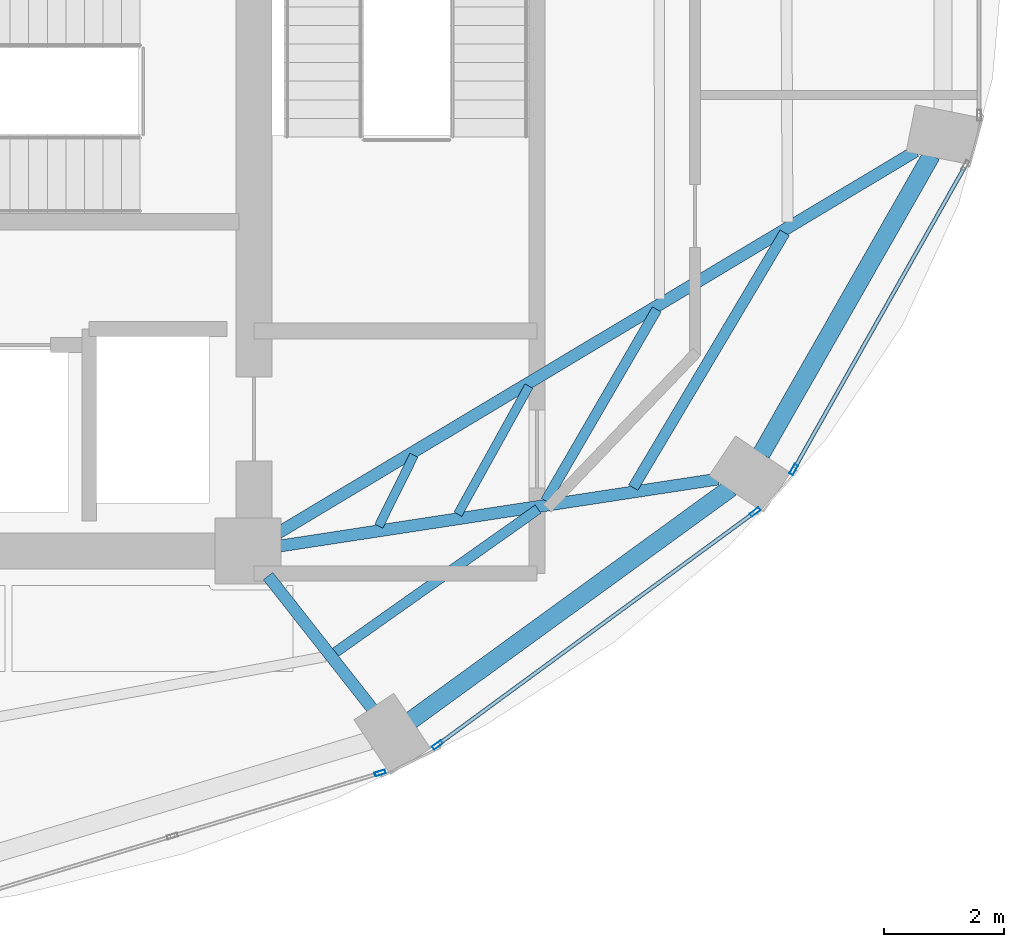
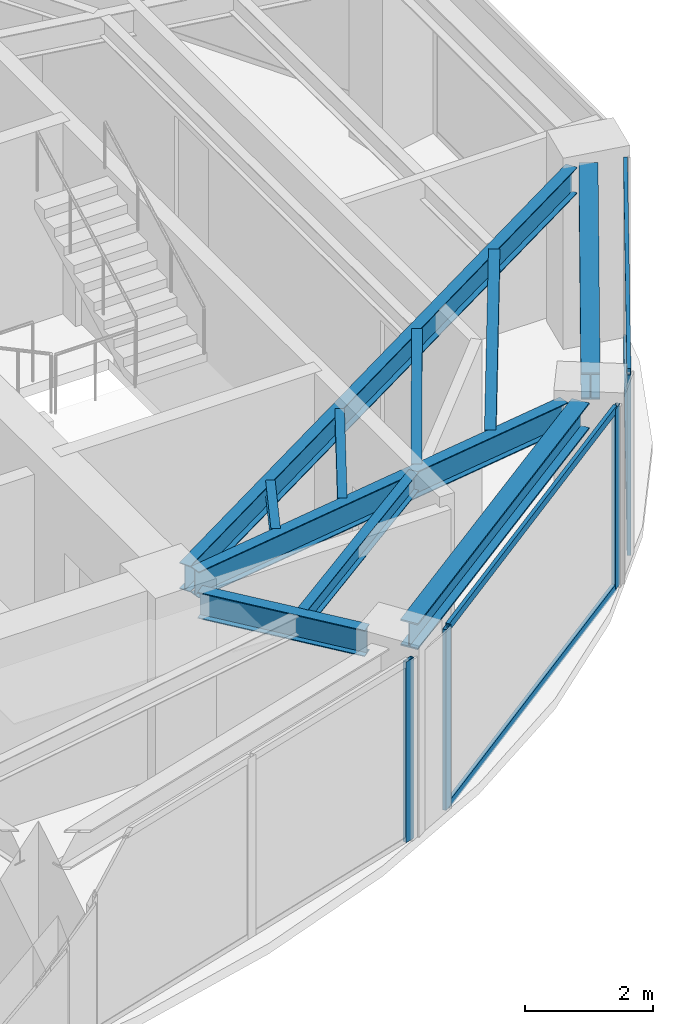
# One storey, part 13 of 23: 10 beams, 8 members, 3 elements without a shape of their own.
"""IFC4 building model written with IfcOpenShell, lengths in metres."""

from ifc_helpers import new_model, si_unit, direction, frame, origin, origin_2d, place, context, subcontext, project, spatial, hollow_rectangle, i_section, extrude, material, layer, layer_set, material_profile, profile_set, type_object, element, aggregate, save


model = new_model("IFC4")

# Units and contexts
model_context = context("Model", 3, precision=1e-05, world=origin(), true_north=direction((0.0, 1.0)))
body_context = subcontext(model_context, "Body", "Model", "MODEL_VIEW")
ifc_project = project(units=[si_unit("LENGTHUNIT", "METRE"), si_unit("AREAUNIT", "SQUARE_METRE"), si_unit("VOLUMEUNIT", "CUBIC_METRE"), si_unit("PLANEANGLEUNIT", "RADIAN"), si_unit("MASSUNIT", "GRAM", prefix="KILO")], contexts=[model_context])

# Site, building, storey
site_placement = place(None, origin())
site = spatial("IfcSite", under=ifc_project, at=site_placement, CompositionType="ELEMENT")
building_placement = place(site_placement, origin())
building = spatial("IfcBuilding", under=site, at=building_placement, Name="Lazwardi Medical Tower", CompositionType="ELEMENT")
storey_placement = place(building_placement, frame((0.0, 0.0, 213.072021484375)))
storey = spatial("IfcBuildingStorey", under=building, at=storey_placement, Name="L55", CompositionType="ELEMENT", Elevation=213.072021484375)

# Beams
ifc_material_1 = material(Name="Steel S355", Category="steel")
ifc_material_profile_1 = material_profile(ifc_material_1, i_section(OverallWidth=0.300048828125, OverallDepth=0.5, WebThickness=0.014404296875, FlangeThickness=0.028076171875, at=origin_2d()), Name="HEB 500")
ifc_profile_set_1 = profile_set([ifc_material_profile_1], Name="Steel S355")
beam_type_1 = type_object("IfcBeamType", Name="BM-RB-Z4", PredefinedType="BEAM", material=ifc_profile_set_1)
beam_1_placement = place(storey_placement, frame((48.31591796875, 17.5751953125, 3.197998046875), z_axis=(0.808889916254, 0.587960120571, 0.0), x_axis=(-0.587960120571, 0.808889916254, 0.0)))
element("IfcBeam", 1, at=beam_1_placement, inside=storey, type_object=beam_type_1, Name="Ring beam RB-05 B02 L55", PredefinedType="BEAM", context=body_context, shape_type="SweptSolid", body=[
    extrude(i_section(OverallWidth=0.300048828125, OverallDepth=0.5, WebThickness=0.014404296875, FlangeThickness=0.028076171875, at=origin_2d()), origin(), (0.0, 0.0, 1.0), 6.587158203125),
])
beam_2_placement = place(storey_placement, frame((54.15283203125, 22.016357421875, 3.197998046875), z_axis=(0.495125273299, 0.868821594886, 0.0), x_axis=(-0.868821594886, 0.495125273299, 0.0)))
element("IfcBeam", 2, at=beam_2_placement, inside=storey, type_object=beam_type_1, Name="Ring beam RB-05 B03 L55", PredefinedType="BEAM", context=body_context, shape_type="SweptSolid", body=[
    extrude(i_section(OverallWidth=0.300048828125, OverallDepth=0.5, WebThickness=0.014404296875, FlangeThickness=0.028076171875, at=origin_2d()), origin(), (0.0, 0.0, 1.0), 5.734130859375),
])
ifc_material_profile_2 = material_profile(ifc_material_1, i_section(OverallWidth=0.199951171875, OverallDepth=0.5, WebThickness=0.01025390625, FlangeThickness=0.01611328125, at=origin_2d()), Name="IPE 500")
ifc_profile_set_2 = profile_set([ifc_material_profile_2], Name="Steel S355")
beam_type_2 = type_object("IfcBeamType", Name="BM-RG-W3", PredefinedType="BEAM", material=ifc_profile_set_2)
beam_3_placement = place(storey_placement, frame((47.669677734375, 17.7666015625, 3.197998046875), z_axis=(-0.617890508382, 0.786264153864, 0.0), x_axis=(-0.786264153864, -0.617890508382, 0.0)))
element("IfcBeam", 3, at=beam_3_placement, inside=storey, type_object=beam_type_2, Name="Radial girder RG-04 R02 L55", PredefinedType="BEAM", context=body_context, shape_type="SweptSolid", body=[
    extrude(i_section(OverallWidth=0.199951171875, OverallDepth=0.5, WebThickness=0.01025390625, FlangeThickness=0.01611328125, at=origin_2d()), origin(), (0.0, 0.0, 1.0), 2.814453125),
])
beam_4_placement = place(storey_placement, frame((53.430908203125, 21.5966796875, 3.197998046875), z_axis=(-0.988522137285, -0.151076087115, 0.0), x_axis=(0.151076087115, -0.988522137285, 0.0)))
element("IfcBeam", 4, at=beam_4_placement, inside=storey, type_object=beam_type_2, Name="Radial girder RG-04 R03 L55", PredefinedType="BEAM", context=body_context, shape_type="SweptSolid", body=[
    extrude(i_section(OverallWidth=0.199951171875, OverallDepth=0.5, WebThickness=0.01025390625, FlangeThickness=0.01611328125, at=origin_2d()), origin(), (0.0, 0.0, 1.0), 7.38671875),
])
beam_5_placement = place(storey_placement, frame((56.72607421875, 27.062255859375, 3.197998046875), z_axis=(-0.857944804603, -0.513741873176, 0.0), x_axis=(0.513741873176, -0.857944804603, 0.0)))
element("IfcBeam", 5, at=beam_5_placement, inside=storey, type_object=beam_type_2, Name="Radial girder RG-04 R04 L55", PredefinedType="BEAM", context=body_context, shape_type="SweptSolid", body=[
    extrude(i_section(OverallWidth=0.199951171875, OverallDepth=0.5, WebThickness=0.01025390625, FlangeThickness=0.01611328125, at=origin_2d()), origin(), (0.0, 0.0, 1.0), 12.43310546875),
])
ifc_material_profile_3 = material_profile(ifc_material_1, i_section(OverallWidth=0.179931640625, OverallDepth=0.39990234375, WebThickness=0.008544921875, FlangeThickness=0.013427734375, at=origin_2d()), Name="IPE 400")
ifc_profile_set_3 = profile_set([ifc_material_profile_3], Name="Steel S355")
beam_type_3 = type_object("IfcBeamType", Name="BM-SJ-01", PredefinedType="JOIST", material=ifc_profile_set_3)
beam_6_placement = place(storey_placement, frame((52.01904296875, 21.455078125, 3.248046875), z_axis=(0.510967866251, 0.859599813668, 0.0), x_axis=(-0.859599813668, 0.510967866251, 0.0)))
element("IfcBeam", 6, at=beam_6_placement, inside=storey, type_object=beam_type_3, Name="Secondary joist SJ-01 R1 B03 L55", PredefinedType="JOIST", context=body_context, shape_type="SweptSolid", body=[
    extrude(i_section(OverallWidth=0.179931640625, OverallDepth=0.39990234375, WebThickness=0.008544921875, FlangeThickness=0.013427734375, at=origin_2d()), origin(), (0.0, 0.0, 1.0), 4.94189453125),
])
ifc_material_profile_4 = material_profile(ifc_material_1, i_section(OverallWidth=0.169921875, OverallDepth=0.360107421875, WebThickness=0.008056640625, FlangeThickness=0.0126953125, at=origin_2d()), Name="IPE 360")
ifc_profile_set_4 = profile_set([ifc_material_profile_4], Name="Steel S355")
beam_type_4 = type_object("IfcBeamType", Name="BM-SJ-02", PredefinedType="JOIST", material=ifc_profile_set_4)
beam_7_placement = place(storey_placement, frame((47.051513671875, 18.70654296875, 3.26806640625), z_axis=(0.816711190406, 0.577046645832, 0.0), x_axis=(-0.577046645832, 0.816711190406, 0.0)))
element("IfcBeam", 7, at=beam_7_placement, inside=storey, type_object=beam_type_4, Name="Secondary joist SJ-02 R2 B02 L55", PredefinedType="JOIST", context=body_context, shape_type="SweptSolid", body=[
    extrude(i_section(OverallWidth=0.169921875, OverallDepth=0.360107421875, WebThickness=0.008056640625, FlangeThickness=0.0126953125, at=origin_2d()), origin(), (0.0, 0.0, 1.0), 4.139892578125),
])
beam_8_placement = place(storey_placement, frame((50.5576171875, 21.232421875, 3.26806640625), z_axis=(0.50218018565, 0.864763008657, 0.0), x_axis=(-0.864763008657, 0.50218018565, 0.0)))
element("IfcBeam", 8, at=beam_8_placement, inside=storey, type_object=beam_type_4, Name="Secondary joist SJ-02 R2 B03 L55", PredefinedType="JOIST", context=body_context, shape_type="SweptSolid", body=[
    extrude(i_section(OverallWidth=0.169921875, OverallDepth=0.360107421875, WebThickness=0.008056640625, FlangeThickness=0.0126953125, at=origin_2d()), origin(), (0.0, 0.0, 1.0), 3.69189453125),
])
ifc_material_profile_5 = material_profile(ifc_material_1, i_section(OverallWidth=0.14990234375, OverallDepth=0.300048828125, WebThickness=0.007080078125, FlangeThickness=0.0107421875, at=origin_2d()), Name="IPE 300")
ifc_profile_set_5 = profile_set([ifc_material_profile_5], Name="Steel S355")
beam_type_5 = type_object("IfcBeamType", Name="BM-SJ-03", PredefinedType="JOIST", material=ifc_profile_set_5)
beam_9_placement = place(storey_placement, frame((49.095703125, 21.01025390625, 3.298095703125), z_axis=(0.484751625998, 0.874651851363, 0.0), x_axis=(-0.874651851363, 0.484751625998, 0.0)))
element("IfcBeam", 9, at=beam_9_placement, inside=storey, type_object=beam_type_5, Name="Secondary joist SJ-03 R3 B03 L55", PredefinedType="JOIST", context=body_context, shape_type="SweptSolid", body=[
    extrude(i_section(OverallWidth=0.14990234375, OverallDepth=0.300048828125, WebThickness=0.007080078125, FlangeThickness=0.0107421875, at=origin_2d()), origin(), (0.0, 0.0, 1.0), 2.442626953125),
])
beam_10_placement = place(storey_placement, frame((47.777587890625, 20.811279296875, 3.298095703125), z_axis=(0.443587297772, 0.89623116954, 0.0), x_axis=(-0.89623116954, 0.443587297772, 0.0)))
element("IfcBeam", 10, at=beam_10_placement, inside=storey, type_object=beam_type_5, Name="Secondary joist SJ-03 R4 B03 L55", PredefinedType="JOIST", context=body_context, shape_type="SweptSolid", body=[
    extrude(i_section(OverallWidth=0.14990234375, OverallDepth=0.300048828125, WebThickness=0.007080078125, FlangeThickness=0.0107421875, at=origin_2d()), origin(), (0.0, 0.0, 1.0), 1.32080078125),
])

# Curtain wall, member
ifc_material_2 = material(Name="Anodised bronze aluminium and solar control glazing", Category="aluminium")
ifc_layer = layer(ifc_material_2, 0.18994140625)
ifc_layer_set = layer_set([ifc_layer], Name="Anodised bronze aluminium and solar control glazing")
curtain_wall_type = type_object("IfcCurtainWallType", Name="CW-SYS-04", PredefinedType="NOTDEFINED", material=ifc_layer_set)
curtain_wall_1_placement = place(storey_placement, origin())
curtain_wall_1 = element("IfcCurtainWall", 11, at=curtain_wall_1_placement, inside=storey, type_object=curtain_wall_type, Name="L55 Unitised bronze curtain wall CW-04", PredefinedType="NOTDEFINED")
ifc_material_3 = material(Name="Anodised bronze aluminium", Category="aluminium")
ifc_material_profile_6 = material_profile(ifc_material_3, hollow_rectangle(XDim=0.06494140625, YDim=0.179931640625, WallThickness=0.00390625, at=origin_2d()), Name="ALU-MULLION 180x65x4")
ifc_profile_set_6 = profile_set([ifc_material_profile_6], Name="Anodised bronze aluminium")
member_type_1 = type_object("IfcMemberType", Name="CW-MUL-03", PredefinedType="MULLION", material=ifc_profile_set_6)
member_1_placement = place(storey_placement, frame((47.7998046875, 16.696533203125, 0.0), z_axis=(0.0, 0.0, 1.0), x_axis=(-0.290581889515, 0.956850126972, 0.0)))
member_1 = element("IfcMember", 12, at=member_1_placement, type_object=member_type_1, Name="CW-04 mullion 3", PredefinedType="MULLION", context=body_context, shape_type="SweptSolid", body=[
    extrude(hollow_rectangle(XDim=0.06494140625, YDim=0.179931640625, WallThickness=0.00390625, at=origin_2d()), origin(), (0.0, 0.0, 1.0), 3.447998046875),
])
aggregate(curtain_wall_1, [member_1])

# Curtain wall, members
curtain_wall_2_placement = place(storey_placement, origin())
curtain_wall_2 = element("IfcCurtainWall", 13, at=curtain_wall_2_placement, inside=storey, type_object=curtain_wall_type, Name="L55 Unitised bronze curtain wall CW-04", PredefinedType="NOTDEFINED")
member_2_placement = place(storey_placement, frame((48.75537109375, 17.1650390625, 0.0), z_axis=(0.0, 0.0, 1.0), x_axis=(-0.591268230971, 0.806474971121, 0.0)))
member_2 = element("IfcMember", 14, at=member_2_placement, type_object=member_type_1, Name="CW-04 mullion 1", PredefinedType="MULLION", context=body_context, shape_type="SweptSolid", body=[
    extrude(hollow_rectangle(XDim=0.06494140625, YDim=0.179931640625, WallThickness=0.00390625, at=origin_2d()), origin(), (0.0, 0.0, 1.0), 3.447998046875),
])
member_3_placement = place(storey_placement, frame((54.052001953125, 21.04833984375, 0.0), z_axis=(0.0, 0.0, 1.0), x_axis=(-0.591268230971, 0.806474971121, 0.0)))
member_3 = element("IfcMember", 15, at=member_3_placement, type_object=member_type_1, Name="CW-04 mullion 2", PredefinedType="MULLION", context=body_context, shape_type="SweptSolid", body=[
    extrude(hollow_rectangle(XDim=0.06494140625, YDim=0.179931640625, WallThickness=0.00390625, at=origin_2d()), origin(), (0.0, 0.0, 1.0), 3.447998046875),
])

# Curtain wall, member
curtain_wall_3_placement = place(storey_placement, origin())
curtain_wall_3 = element("IfcCurtainWall", 16, at=curtain_wall_3_placement, inside=storey, type_object=curtain_wall_type, Name="L55 Unitised bronze curtain wall CW-04", PredefinedType="NOTDEFINED")
member_4_placement = place(storey_placement, frame((54.6943359375, 21.75439453125, 0.0), z_axis=(0.0, 0.0, 1.0), x_axis=(-0.870651436011, 0.491900474661, 0.0)))
member_4 = element("IfcMember", 17, at=member_4_placement, type_object=member_type_1, Name="CW-04 mullion 1", PredefinedType="MULLION", context=body_context, shape_type="SweptSolid", body=[
    extrude(hollow_rectangle(XDim=0.06494140625, YDim=0.179931640625, WallThickness=0.00390625, at=origin_2d()), origin(), (0.0, 0.0, 1.0), 3.447998046875),
])

# Member
ifc_material_profile_7 = material_profile(ifc_material_3, hollow_rectangle(XDim=0.06494140625, YDim=0.139892578125, WallThickness=0.00341796875, at=origin_2d()), Name="ALU-TRANSOM 140x65x3.5")
ifc_profile_set_7 = profile_set([ifc_material_profile_7], Name="Anodised bronze aluminium")
member_type_2 = type_object("IfcMemberType", Name="CW-TRN-03", PredefinedType="USERDEFINED", material=ifc_profile_set_7)
member_5_placement = place(storey_placement, frame((48.781494140625, 17.184326171875, 0.032470703125), z_axis=(0.80648973359, 0.591248094808, 0.0), x_axis=(-0.591248094808, 0.80648973359, 0.0)))
member_5 = element("IfcMember", 18, at=member_5_placement, type_object=member_type_2, Name="CW-04 transom 1.1", ObjectType="TRANSOM", PredefinedType="USERDEFINED", context=body_context, shape_type="SweptSolid", body=[
    extrude(hollow_rectangle(XDim=0.06494140625, YDim=0.139892578125, WallThickness=0.00341796875, at=origin_2d()), origin(), (0.0, 0.0, 1.0), 6.502685546875),
])

member_6_placement = place(storey_placement, frame((48.781494140625, 17.184326171875, 3.41552734375), z_axis=(0.80648973359, 0.591248094808, 0.0), x_axis=(-0.591248094808, 0.80648973359, 0.0)))
member_6 = element("IfcMember", 19, at=member_6_placement, type_object=member_type_2, Name="CW-04 transom 1.2", ObjectType="TRANSOM", PredefinedType="USERDEFINED", context=body_context, shape_type="SweptSolid", body=[
    extrude(hollow_rectangle(XDim=0.06494140625, YDim=0.139892578125, WallThickness=0.00341796875, at=origin_2d()), origin(), (0.0, 0.0, 1.0), 6.502685546875),
])

aggregate(curtain_wall_2, [member_2, member_3, member_5, member_6])

member_7_placement = place(storey_placement, frame((54.71044921875, 21.78271484375, 0.032470703125), z_axis=(0.491879719484, 0.87066316194, 0.0), x_axis=(-0.87066316194, 0.491879719484, 0.0)))
member_7 = element("IfcMember", 20, at=member_7_placement, type_object=member_type_2, Name="CW-04 transom 1.1", ObjectType="TRANSOM", PredefinedType="USERDEFINED", context=body_context, shape_type="SweptSolid", body=[
    extrude(hollow_rectangle(XDim=0.06494140625, YDim=0.139892578125, WallThickness=0.00341796875, at=origin_2d()), origin(), (0.0, 0.0, 1.0), 5.755126953125),
])

member_8_placement = place(storey_placement, frame((54.71044921875, 21.78271484375, 3.41552734375), z_axis=(0.491879719484, 0.87066316194, 0.0), x_axis=(-0.87066316194, 0.491879719484, 0.0)))
member_8 = element("IfcMember", 21, at=member_8_placement, type_object=member_type_2, Name="CW-04 transom 1.2", ObjectType="TRANSOM", PredefinedType="USERDEFINED", context=body_context, shape_type="SweptSolid", body=[
    extrude(hollow_rectangle(XDim=0.06494140625, YDim=0.139892578125, WallThickness=0.00341796875, at=origin_2d()), origin(), (0.0, 0.0, 1.0), 5.755126953125),
])

aggregate(curtain_wall_3, [member_4, member_7, member_8])

save(model, "model.ifc")
